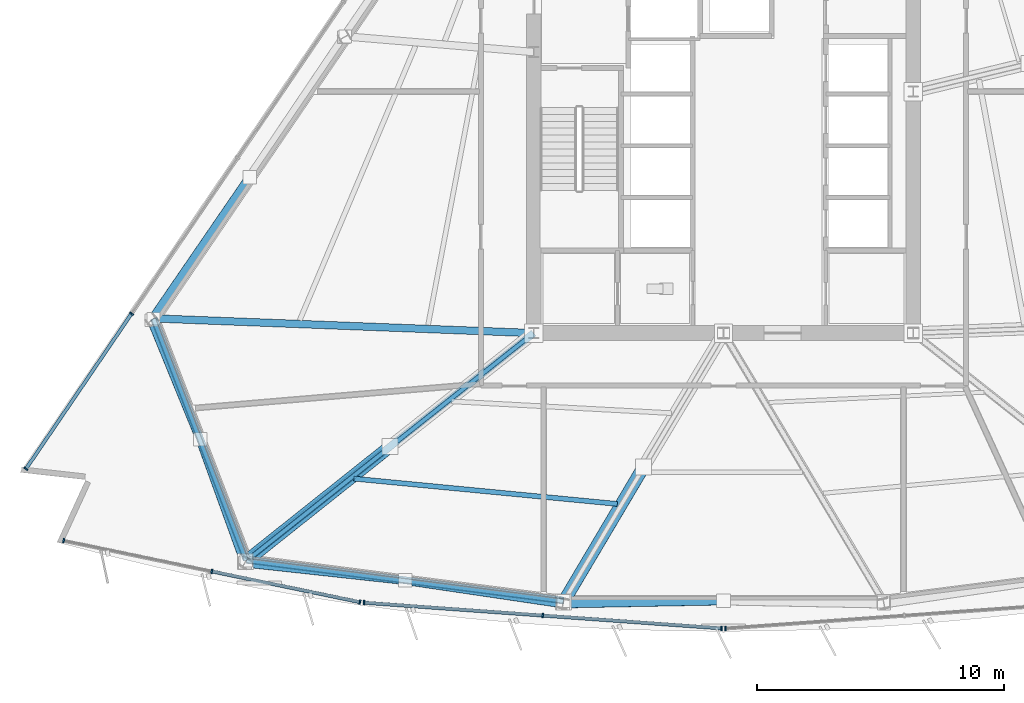
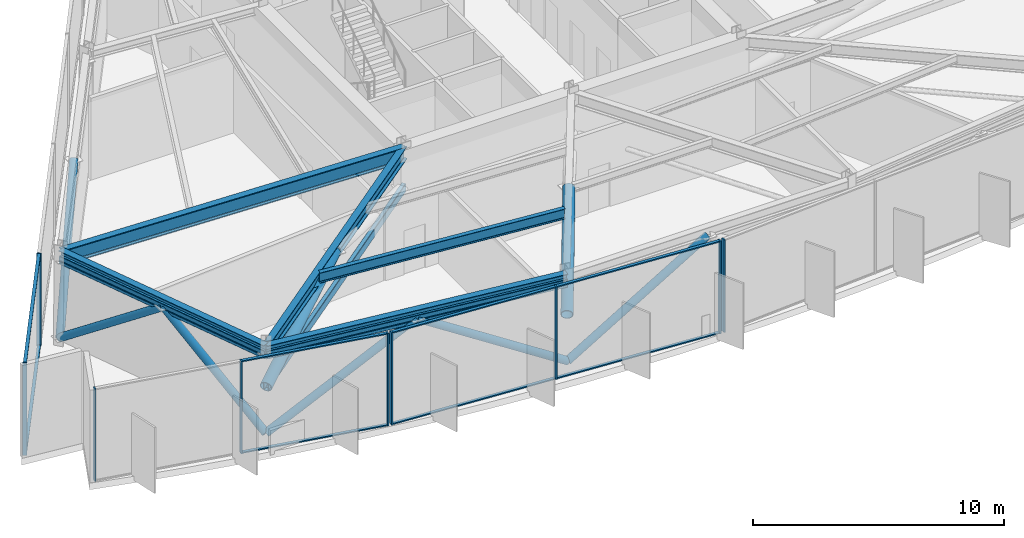
# One storey, part 2 of 16: 28 members, 5 beams, 4 elements without a shape of their own.
"""IFC4 building model written with IfcOpenShell, lengths in metres."""

from ifc_helpers import new_model, si_unit, direction, frame, origin, origin_2d, place, context, subcontext, project, spatial, rectangle, hollow_rectangle, hollow_circle, i_section, extrude, material, material_profile, profile_set, type_object, element, aggregate, save


model = new_model("IFC4")

# Units and contexts
model_context = context("Model", 3, precision=1e-05, world=origin(), true_north=direction((0.0, 1.0)))
body_context = subcontext(model_context, "Body", "Model", "MODEL_VIEW")
ifc_project = project(units=[si_unit("LENGTHUNIT", "METRE"), si_unit("AREAUNIT", "SQUARE_METRE"), si_unit("VOLUMEUNIT", "CUBIC_METRE"), si_unit("PLANEANGLEUNIT", "RADIAN"), si_unit("MASSUNIT", "GRAM", prefix="KILO")], contexts=[model_context])

# Site, building, storey
site_placement = place(None, origin())
site = spatial("IfcSite", under=ifc_project, at=site_placement, CompositionType="ELEMENT")
building_placement = place(site_placement, origin())
building = spatial("IfcBuilding", under=site, at=building_placement, Name="Savorim Split Tower", CompositionType="ELEMENT")
storey_placement = place(building_placement, frame((0.0, 0.0, 73.199951171875)))
storey = spatial("IfcBuildingStorey", under=building, at=storey_placement, Name="L19", CompositionType="ELEMENT", Elevation=73.199951171875)

# Beams
ifc_material_1 = material(Name="Steel S355", Category="steel")
ifc_material_profile_1 = material_profile(ifc_material_1, i_section(OverallWidth=0.199951171875, OverallDepth=0.5, WebThickness=0.01025390625, FlangeThickness=0.01611328125, FilletRadius=0.02099609375, at=origin_2d()), Name="IPE 500")
ifc_profile_set_1 = profile_set([ifc_material_profile_1], Name="Steel S355")
beam_type_1 = type_object("IfcBeamType", Name="BM-JST-IPE500", PredefinedType="JOIST", material=ifc_profile_set_1)
beam_1_placement = place(storey_placement, frame((-14.992431640625, -15.3037109375, 4.25), z_axis=(0.99541960846, -0.095602317407, 0.0), x_axis=(0.095602317407, 0.99541960846, 0.0)))
element("IfcBeam", 1, at=beam_1_placement, inside=storey, type_object=beam_type_1, Name="L19 Secondary Floor Joist JS-01", PredefinedType="JOIST", context=body_context, shape_type="SweptSolid", body=[
    extrude(i_section(OverallWidth=0.199951171875, OverallDepth=0.5, WebThickness=0.01025390625, FlangeThickness=0.01611328125, FilletRadius=0.02099609375, at=origin_2d()), origin(), (0.0, 0.0, 1.0), 10.733154296875),
])
ifc_material_profile_2 = material_profile(ifc_material_1, i_section(OverallWidth=0.300048828125, OverallDepth=0.60009765625, WebThickness=0.015380859375, FlangeThickness=0.030029296875, FilletRadius=0.027099609375, at=origin_2d()), Name="HEB 600")
ifc_profile_set_2 = profile_set([ifc_material_profile_2], Name="Steel S355")
beam_type_2 = type_object("IfcBeamType", Name="BM-PRI-HEB600", PredefinedType="BEAM", material=ifc_profile_set_2)
beam_2_placement = place(storey_placement, frame((-19.343505859375, -18.6005859375, 4.199951171875), z_axis=(0.784607278969, 0.619993078823, 0.0), x_axis=(-0.619993078823, 0.784607278969, 0.0)))
element("IfcBeam", 2, at=beam_2_placement, inside=storey, type_object=beam_type_2, Name="L19 Primary Floor Girder RG-01", PredefinedType="BEAM", context=body_context, shape_type="SweptSolid", body=[
    extrude(i_section(OverallWidth=0.300048828125, OverallDepth=0.60009765625, WebThickness=0.015380859375, FlangeThickness=0.030029296875, FilletRadius=0.027099609375, at=origin_2d()), origin(), (0.0, 0.0, 1.0), 14.840087890625),
])
ifc_material_2 = material(Name="Steel S460", Category="steel")
ifc_material_profile_3 = material_profile(ifc_material_2, i_section(OverallWidth=0.303955078125, OverallDepth=0.716064453125, WebThickness=0.02099609375, FlangeThickness=0.0400390625, FilletRadius=0.027099609375, at=origin_2d()), Name="HE 700 M")
ifc_profile_set_3 = profile_set([ifc_material_profile_3], Name="Steel S460")
beam_type_3 = type_object("IfcBeamType", Name="BM-PRI-HEM700", PredefinedType="BEAM", material=ifc_profile_set_3)
beam_3_placement = place(storey_placement, frame((-23.11083984375, -8.803466796875, 4.14208984375), z_axis=(0.999251909524, -0.038673263548, 0.0), x_axis=(0.038673263548, 0.999251909524, 0.0)))
element("IfcBeam", 3, at=beam_3_placement, inside=storey, type_object=beam_type_3, Name="L19 Primary Floor Girder RG-10", PredefinedType="BEAM", context=body_context, shape_type="SweptSolid", body=[
    extrude(i_section(OverallWidth=0.303955078125, OverallDepth=0.716064453125, WebThickness=0.02099609375, FlangeThickness=0.0400390625, FilletRadius=0.027099609375, at=origin_2d()), origin(), (0.0, 0.0, 1.0), 15.42236328125),
])
ifc_material_profile_4 = material_profile(ifc_material_1, i_section(OverallWidth=0.300048828125, OverallDepth=0.489990234375, WebThickness=0.011962890625, FlangeThickness=0.02294921875, FilletRadius=0.027099609375, at=origin_2d()), Name="HEA 500")
ifc_profile_set_4 = profile_set([ifc_material_profile_4], Name="Steel S355")
beam_type_4 = type_object("IfcBeamType", Name="BM-SPN-HEA500", PredefinedType="SPANDREL", material=ifc_profile_set_4)
beam_4_placement = place(storey_placement, frame((-19.343505859375, -18.6005859375, 4.255126953125), z_axis=(0.991858995601, -0.127341010066, 0.0), x_axis=(0.127341010066, 0.991858995601, 0.0)))
element("IfcBeam", 4, at=beam_4_placement, inside=storey, type_object=beam_type_4, Name="L19 Perimeter Spandrel Beam 1", PredefinedType="SPANDREL", context=body_context, shape_type="SweptSolid", body=[
    extrude(i_section(OverallWidth=0.300048828125, OverallDepth=0.489990234375, WebThickness=0.011962890625, FlangeThickness=0.02294921875, FilletRadius=0.027099609375, at=origin_2d()), origin(), (0.0, 0.0, 1.0), 12.966064453125),
])
beam_5_placement = place(storey_placement, frame((-23.11083984375, -8.803466796875, 4.255126953125), z_axis=(0.358913616802, -0.933370781455, 0.0), x_axis=(0.933370781455, 0.358913616802, 0.0)))
element("IfcBeam", 5, at=beam_5_placement, inside=storey, type_object=beam_type_4, Name="L19 Perimeter Spandrel Beam 10", PredefinedType="SPANDREL", context=body_context, shape_type="SweptSolid", body=[
    extrude(i_section(OverallWidth=0.300048828125, OverallDepth=0.489990234375, WebThickness=0.011962890625, FlangeThickness=0.02294921875, FilletRadius=0.027099609375, at=origin_2d()), origin(), (0.0, 0.0, 1.0), 10.49658203125),
])

# Curtain wall, members
ifc_material_3 = material(Name="Dark Ceramic-Fritted Insulated Glass", Category="glass")
curtain_wall_type = type_object("IfcCurtainWallType", Name="CW-REFUGE-LVR", PredefinedType="NOTDEFINED", material=ifc_material_3)
curtain_wall_1_placement = place(storey_placement, origin())
curtain_wall_1 = element("IfcCurtainWall", 6, at=curtain_wall_1_placement, inside=storey, type_object=curtain_wall_type, Name="L19 Curtain Wall CW-L19-SF1", PredefinedType="NOTDEFINED")
ifc_material_4 = material(Name="Charcoal Anodised Aluminium", Category="aluminium")
ifc_material_profile_5 = material_profile(ifc_material_4, rectangle(XDim=0.179931640625, YDim=0.06494140625, at=origin_2d()), Name="ALU-M 180x65")
ifc_profile_set_5 = profile_set([ifc_material_profile_5], Name="Charcoal Anodised Aluminium")
member_type_1 = type_object("IfcMemberType", Name="CWM-180x65", PredefinedType="MULLION", material=ifc_profile_set_5)
member_1_placement = place(storey_placement, frame((-26.76513671875, -17.81689453125, 0.0), z_axis=(0.0, 0.0, 1.0), x_axis=(0.203210153081, 0.979135145772, 0.0)))
member_1 = element("IfcMember", 7, at=member_1_placement, type_object=member_type_1, Name="CW-06 mullion 1", PredefinedType="MULLION", context=body_context, shape_type="SweptSolid", body=[
    extrude(rectangle(XDim=0.179931640625, YDim=0.06494140625, at=origin_2d()), origin(), (0.0, 0.0, 1.0), 4.5),
])
member_2_placement = place(storey_placement, frame((-20.75634765625, -19.064208984375, 0.0), z_axis=(0.0, 0.0, 1.0), x_axis=(0.203210153081, 0.979135145772, 0.0)))
member_2 = element("IfcMember", 8, at=member_2_placement, type_object=member_type_1, Name="CW-06 mullion 2", PredefinedType="MULLION", context=body_context, shape_type="SweptSolid", body=[
    extrude(rectangle(XDim=0.179931640625, YDim=0.06494140625, at=origin_2d()), origin(), (0.0, 0.0, 1.0), 4.5),
])
member_3_placement = place(storey_placement, frame((-14.747314453125, -20.311279296875, 0.0), z_axis=(0.0, 0.0, 1.0), x_axis=(0.203210153081, 0.979135145772, 0.0)))
member_3 = element("IfcMember", 9, at=member_3_placement, type_object=member_type_1, Name="CW-06 mullion 3", PredefinedType="MULLION", context=body_context, shape_type="SweptSolid", body=[
    extrude(rectangle(XDim=0.179931640625, YDim=0.06494140625, at=origin_2d()), origin(), (0.0, 0.0, 1.0), 4.5),
])

curtain_wall_2_placement = place(storey_placement, origin())
curtain_wall_2 = element("IfcCurtainWall", 10, at=curtain_wall_2_placement, inside=storey, type_object=curtain_wall_type, Name="L19 Curtain Wall CW-L19-SF2", PredefinedType="NOTDEFINED")
member_4_placement = place(storey_placement, frame((-14.580322265625, -20.33447265625, 0.0), z_axis=(0.0, 0.0, 1.0), x_axis=(0.071560540796, 0.997436258114, 0.0)))
member_4 = element("IfcMember", 11, at=member_4_placement, type_object=member_type_1, Name="CW-06 mullion 1", PredefinedType="MULLION", context=body_context, shape_type="SweptSolid", body=[
    extrude(rectangle(XDim=0.179931640625, YDim=0.06494140625, at=origin_2d()), origin(), (0.0, 0.0, 1.0), 4.5),
])
member_5_placement = place(storey_placement, frame((-7.33203125, -20.8544921875, 0.0), z_axis=(0.0, 0.0, 1.0), x_axis=(0.071560540796, 0.997436258114, 0.0)))
member_5 = element("IfcMember", 12, at=member_5_placement, type_object=member_type_1, Name="CW-06 mullion 2", PredefinedType="MULLION", context=body_context, shape_type="SweptSolid", body=[
    extrude(rectangle(XDim=0.179931640625, YDim=0.06494140625, at=origin_2d()), origin(), (0.0, 0.0, 1.0), 4.5),
])
member_6_placement = place(storey_placement, frame((-0.083740234375, -21.37451171875, 0.0), z_axis=(0.0, 0.0, 1.0), x_axis=(0.071560540796, 0.997436258114, 0.0)))
member_6 = element("IfcMember", 13, at=member_6_placement, type_object=member_type_1, Name="CW-06 mullion 3", PredefinedType="MULLION", context=body_context, shape_type="SweptSolid", body=[
    extrude(rectangle(XDim=0.179931640625, YDim=0.06494140625, at=origin_2d()), origin(), (0.0, 0.0, 1.0), 4.5),
])

# Curtain wall, member
curtain_wall_3_placement = place(storey_placement, origin())
curtain_wall_3 = element("IfcCurtainWall", 14, at=curtain_wall_3_placement, inside=storey, type_object=curtain_wall_type, Name="L19 Curtain Wall CW-L19-SF3", PredefinedType="NOTDEFINED")
member_7_placement = place(storey_placement, frame((0.083740234375, -21.37451171875, 0.0), z_axis=(0.0, 0.0, 1.0), x_axis=(-0.071560540796, 0.997436258114, 0.0)))
member_7 = element("IfcMember", 15, at=member_7_placement, type_object=member_type_1, Name="CW-06 mullion 1", PredefinedType="MULLION", context=body_context, shape_type="SweptSolid", body=[
    extrude(rectangle(XDim=0.179931640625, YDim=0.06494140625, at=origin_2d()), origin(), (0.0, 0.0, 1.0), 4.5),
])
aggregate(curtain_wall_3, [member_7])

# Curtain wall, members
curtain_wall_4_placement = place(storey_placement, origin())
curtain_wall_4 = element("IfcCurtainWall", 16, at=curtain_wall_4_placement, inside=storey, type_object=curtain_wall_type, Name="L19 Curtain Wall CW-L19-WEST", PredefinedType="NOTDEFINED")
member_8_placement = place(storey_placement, frame((-24.012451171875, -8.61279296875, 0.0), z_axis=(0.0, 0.0, 1.0), x_axis=(0.826819906685, -0.562466747381, 0.0)))
member_8 = element("IfcMember", 17, at=member_8_placement, type_object=member_type_1, Name="CW-06 mullion 6", PredefinedType="MULLION", context=body_context, shape_type="SweptSolid", body=[
    extrude(rectangle(XDim=0.179931640625, YDim=0.06494140625, at=origin_2d()), origin(), (0.0, 0.0, 1.0), 4.5),
])
member_9_placement = place(storey_placement, frame((-28.294921875, -14.908203125, 0.0), z_axis=(0.0, 0.0, 1.0), x_axis=(0.826819906685, -0.562466747381, 0.0)))
member_9 = element("IfcMember", 18, at=member_9_placement, type_object=member_type_1, Name="CW-06 mullion 7", PredefinedType="MULLION", context=body_context, shape_type="SweptSolid", body=[
    extrude(rectangle(XDim=0.179931640625, YDim=0.06494140625, at=origin_2d()), origin(), (0.0, 0.0, 1.0), 4.5),
])

# Member
ifc_material_profile_6 = material_profile(ifc_material_4, rectangle(XDim=0.139892578125, YDim=0.054931640625, at=origin_2d()), Name="ALU-T 140x55")
ifc_profile_set_6 = profile_set([ifc_material_profile_6], Name="Charcoal Anodised Aluminium")
member_type_2 = type_object("IfcMemberType", Name="CWT-140x55", PredefinedType="USERDEFINED", material=ifc_profile_set_6)
member_10_placement = place(storey_placement, frame((-20.724365234375, -19.07080078125, 0.027587890625), z_axis=(0.97913534694, -0.203209183781, 0.0), x_axis=(0.203209183781, 0.97913534694, 0.0)))
member_10 = element("IfcMember", 19, at=member_10_placement, type_object=member_type_2, Name="CW-06 transom 2.1", ObjectType="TRANSOM", PredefinedType="USERDEFINED", context=body_context, shape_type="SweptSolid", body=[
    extrude(rectangle(XDim=0.139892578125, YDim=0.054931640625, at=origin_2d()), origin(), (0.0, 0.0, 1.0), 6.072021484375),
])

member_11_placement = place(storey_placement, frame((-20.724365234375, -19.07080078125, 4.47265625), z_axis=(0.97913534694, -0.203209183781, 0.0), x_axis=(0.203209183781, 0.97913534694, 0.0)))
member_11 = element("IfcMember", 20, at=member_11_placement, type_object=member_type_2, Name="CW-06 transom 2.2", ObjectType="TRANSOM", PredefinedType="USERDEFINED", context=body_context, shape_type="SweptSolid", body=[
    extrude(rectangle(XDim=0.139892578125, YDim=0.054931640625, at=origin_2d()), origin(), (0.0, 0.0, 1.0), 6.072021484375),
])

aggregate(curtain_wall_1, [member_1, member_2, member_3, member_10, member_11])

member_12_placement = place(storey_placement, frame((-14.5478515625, -20.336669921875, 0.027587890625), z_axis=(0.997436107345, -0.071562642239, 0.0), x_axis=(0.071562642239, 0.997436107345, 0.0)))
member_12 = element("IfcMember", 21, at=member_12_placement, type_object=member_type_2, Name="CW-06 transom 1.1", ObjectType="TRANSOM", PredefinedType="USERDEFINED", context=body_context, shape_type="SweptSolid", body=[
    extrude(rectangle(XDim=0.139892578125, YDim=0.054931640625, at=origin_2d()), origin(), (0.0, 0.0, 1.0), 7.201904296875),
])

member_13_placement = place(storey_placement, frame((-14.5478515625, -20.336669921875, 4.47265625), z_axis=(0.997436107345, -0.071562642239, 0.0), x_axis=(0.071562642239, 0.997436107345, 0.0)))
member_13 = element("IfcMember", 22, at=member_13_placement, type_object=member_type_2, Name="CW-06 transom 1.2", ObjectType="TRANSOM", PredefinedType="USERDEFINED", context=body_context, shape_type="SweptSolid", body=[
    extrude(rectangle(XDim=0.139892578125, YDim=0.054931640625, at=origin_2d()), origin(), (0.0, 0.0, 1.0), 7.201904296875),
])

member_14_placement = place(storey_placement, frame((-7.299560546875, -20.856689453125, 0.027587890625), z_axis=(0.997436107345, -0.071562642239, 0.0), x_axis=(0.071562642239, 0.997436107345, 0.0)))
member_14 = element("IfcMember", 23, at=member_14_placement, type_object=member_type_2, Name="CW-06 transom 2.1", ObjectType="TRANSOM", PredefinedType="USERDEFINED", context=body_context, shape_type="SweptSolid", body=[
    extrude(rectangle(XDim=0.139892578125, YDim=0.054931640625, at=origin_2d()), origin(), (0.0, 0.0, 1.0), 7.201904296875),
])

member_15_placement = place(storey_placement, frame((-7.299560546875, -20.856689453125, 4.47265625), z_axis=(0.997436107345, -0.071562642239, 0.0), x_axis=(0.071562642239, 0.997436107345, 0.0)))
member_15 = element("IfcMember", 24, at=member_15_placement, type_object=member_type_2, Name="CW-06 transom 2.2", ObjectType="TRANSOM", PredefinedType="USERDEFINED", context=body_context, shape_type="SweptSolid", body=[
    extrude(rectangle(XDim=0.139892578125, YDim=0.054931640625, at=origin_2d()), origin(), (0.0, 0.0, 1.0), 7.201904296875),
])

aggregate(curtain_wall_2, [member_4, member_5, member_6, member_12, member_13, member_14, member_15])

member_16_placement = place(storey_placement, frame((-24.03076171875, -8.6396484375, 0.027587890625), z_axis=(-0.562467468114, -0.826819416387, 0.0), x_axis=(0.826819416387, -0.562467468114, 0.0)))
member_16 = element("IfcMember", 25, at=member_16_placement, type_object=member_type_2, Name="CW-06 transom 6.1", ObjectType="TRANSOM", PredefinedType="USERDEFINED", context=body_context, shape_type="SweptSolid", body=[
    extrude(rectangle(XDim=0.139892578125, YDim=0.054931640625, at=origin_2d()), origin(), (0.0, 0.0, 1.0), 7.549072265625),
])

member_17_placement = place(storey_placement, frame((-24.03076171875, -8.6396484375, 4.47265625), z_axis=(-0.562467468114, -0.826819416387, 0.0), x_axis=(0.826819416387, -0.562467468114, 0.0)))
member_17 = element("IfcMember", 26, at=member_17_placement, type_object=member_type_2, Name="CW-06 transom 6.2", ObjectType="TRANSOM", PredefinedType="USERDEFINED", context=body_context, shape_type="SweptSolid", body=[
    extrude(rectangle(XDim=0.139892578125, YDim=0.054931640625, at=origin_2d()), origin(), (0.0, 0.0, 1.0), 7.549072265625),
])

aggregate(curtain_wall_4, [member_8, member_9, member_16, member_17])

# Members
ifc_material_profile_7 = material_profile(ifc_material_2, hollow_circle(Radius=0.177734375, WallThickness=0.02001953125, at=origin_2d()), Name="CHS 355.6x20")
ifc_profile_set_7 = profile_set([ifc_material_profile_7], Name="Steel S460")
member_type_3 = type_object("IfcMemberType", Name="MBR-BLT-CHS355", PredefinedType="BRACE", material=ifc_profile_set_7)
member_18_placement = place(storey_placement, frame((-19.415283203125, -18.717041015625, 0.280029296875), z_axis=(0.862420089001, -0.094036268481, 0.497381915933), x_axis=(0.108395197295, 0.994107882075, 0.0)))
element("IfcMember", 27, at=member_18_placement, inside=storey, type_object=member_type_3, Name="L19 Perimeter Belt Truss Brace 1A", PredefinedType="BRACE", context=body_context, shape_type="SweptSolid", body=[
    extrude(hollow_circle(Radius=0.177734375, WallThickness=0.02001953125, at=origin_2d()), origin(), (0.0, 0.0, 1.0), 7.53955078125),
])
member_19_placement = place(storey_placement, frame((-6.507080078125, -20.374267578125, 0.280029296875), z_axis=(-0.856049437831, 0.126715805348, 0.501121207557), x_axis=(-0.146428423506, -0.989221267862, 0.0)))
element("IfcMember", 28, at=member_19_placement, inside=storey, type_object=member_type_3, Name="L19 Perimeter Belt Truss Brace 1B", PredefinedType="BRACE", context=body_context, shape_type="SweptSolid", body=[
    extrude(hollow_circle(Radius=0.177734375, WallThickness=0.02001953125, at=origin_2d()), origin(), (0.0, 0.0, 1.0), 7.483154296875),
])
member_20_placement = place(storey_placement, frame((-6.507080078125, -20.374267578125, 0.280029296875), z_axis=(0.86630556591, 0.016316564518, 0.499247870498), x_axis=(-0.018831312907, 0.999822675105, 0.0)))
element("IfcMember", 29, at=member_20_placement, inside=storey, type_object=member_type_3, Name="L19 Perimeter Belt Truss Brace 2A", PredefinedType="BRACE", context=body_context, shape_type="SweptSolid", body=[
    extrude(hollow_circle(Radius=0.177734375, WallThickness=0.02001953125, at=origin_2d()), origin(), (0.0, 0.0, 1.0), 7.51123046875),
])
member_21_placement = place(storey_placement, frame((-23.198486328125, -8.87841796875, 0.280029296875), z_axis=(0.499388236419, 0.727338509661, 0.470733557005), x_axis=(-0.824389405438, 0.566023063313, 0.0)))
element("IfcMember", 30, at=member_21_placement, inside=storey, type_object=member_type_3, Name="L19 Perimeter Belt Truss Brace 9B", PredefinedType="BRACE", context=body_context, shape_type="SweptSolid", body=[
    extrude(hollow_circle(Radius=0.177734375, WallThickness=0.02001953125, at=origin_2d()), origin(), (0.0, 0.0, 1.0), 7.96630859375),
])
member_22_placement = place(storey_placement, frame((-23.198486328125, -8.87841796875, 0.280029296875), z_axis=(0.307047667774, -0.751342676767, 0.584128335028), x_axis=(0.925684967425, 0.378295309358, 0.0)))
element("IfcMember", 31, at=member_22_placement, inside=storey, type_object=member_type_3, Name="L19 Perimeter Belt Truss Brace 10A", PredefinedType="BRACE", context=body_context, shape_type="SweptSolid", body=[
    extrude(hollow_circle(Radius=0.177734375, WallThickness=0.02001953125, at=origin_2d()), origin(), (0.0, 0.0, 1.0), 6.419921875),
])
member_23_placement = place(storey_placement, frame((-19.415283203125, -18.717041015625, 0.280029296875), z_axis=(-0.277958141216, 0.769309638488, 0.575240777294), x_axis=(-0.940494569308, -0.339808718402, 0.0)))
element("IfcMember", 32, at=member_23_placement, inside=storey, type_object=member_type_3, Name="L19 Perimeter Belt Truss Brace 10B", PredefinedType="BRACE", context=body_context, shape_type="SweptSolid", body=[
    extrude(hollow_circle(Radius=0.177734375, WallThickness=0.02001953125, at=origin_2d()), origin(), (0.0, 0.0, 1.0), 6.51904296875),
])
ifc_material_profile_8 = material_profile(ifc_material_2, hollow_rectangle(XDim=0.199951171875, YDim=0.39990234375, WallThickness=0.01611328125, InnerFilletRadius=0.01611328125, OuterFilletRadius=0.031982421875, at=origin_2d()), Name="RHS 400x200x16")
ifc_profile_set_8 = profile_set([ifc_material_profile_8], Name="Steel S460")
member_type_4 = type_object("IfcMemberType", Name="MBR-CHD-RHS400", PredefinedType="CHORD", material=ifc_profile_set_8)
member_24_placement = place(storey_placement, frame((-19.355712890625, -18.620361328125, 4.030029296875), z_axis=(0.991857181472, -0.127355139522, 0.0), x_axis=(0.127355139522, 0.991857181472, 0.0)))
element("IfcMember", 33, at=member_24_placement, inside=storey, type_object=member_type_4, Name="L19 Perimeter Belt Truss Chord 1", PredefinedType="CHORD", context=body_context, shape_type="SweptSolid", body=[
    extrude(hollow_rectangle(XDim=0.199951171875, YDim=0.39990234375, WallThickness=0.01611328125, InnerFilletRadius=0.01611328125, OuterFilletRadius=0.031982421875, at=origin_2d()), origin(), (0.0, 0.0, 1.0), 12.974365234375),
])
member_25_placement = place(storey_placement, frame((-23.125732421875, -8.816162109375, 4.030029296875), z_axis=(0.358910548934, -0.933371961151, 0.0), x_axis=(0.933371961151, 0.358910548934, 0.0)))
element("IfcMember", 34, at=member_25_placement, inside=storey, type_object=member_type_4, Name="L19 Perimeter Belt Truss Chord 10", PredefinedType="CHORD", context=body_context, shape_type="SweptSolid", body=[
    extrude(hollow_rectangle(XDim=0.199951171875, YDim=0.39990234375, WallThickness=0.01611328125, InnerFilletRadius=0.01611328125, OuterFilletRadius=0.031982421875, at=origin_2d()), origin(), (0.0, 0.0, 1.0), 10.504150390625),
])
member_26_placement = place(storey_placement, frame((-7.699951171875, -9.39990234375, 2.47998046875), z_axis=(-0.783604905894, -0.621259488023, 0.0), x_axis=(0.621259488023, -0.783604905894, 0.0)))
element("IfcMember", 35, at=member_26_placement, inside=storey, type_object=member_type_4, Name="L19 Outrigger Bottom Chord S1", PredefinedType="CHORD", context=body_context, shape_type="SweptSolid", body=[
    extrude(hollow_rectangle(XDim=0.199951171875, YDim=0.39990234375, WallThickness=0.01611328125, InnerFilletRadius=0.01611328125, OuterFilletRadius=0.031982421875, at=origin_2d()), origin(), (0.0, 0.0, 1.0), 14.906005859375),
])
ifc_material_profile_9 = material_profile(ifc_material_2, hollow_circle(Radius=0.25390625, WallThickness=0.02490234375, at=origin_2d()), Name="CHS 508x25")
ifc_profile_set_9 = profile_set([ifc_material_profile_9], Name="Steel S460")
member_type_5 = type_object("IfcMemberType", Name="MBR-OUT-CHS508", PredefinedType="BRACE", material=ifc_profile_set_9)
member_27_placement = place(storey_placement, frame((-13.521728515625, -14.000244140625, 4.199951171875), z_axis=(-0.762736448422, -0.606705560174, -0.223922918662), x_axis=(0.622513124718, -0.782609359485, 0.0)))
element("IfcMember", 36, at=member_27_placement, inside=storey, type_object=member_type_5, Name="L19 Outrigger Truss Diagonal S1-B", PredefinedType="BRACE", context=body_context, shape_type="SweptSolid", body=[
    extrude(hollow_circle(Radius=0.25390625, WallThickness=0.02490234375, at=origin_2d()), origin(), (0.0, 0.0, 1.0), 7.68115234375),
])
member_28_placement = place(storey_placement, frame((-3.241455078125, -14.82568359375, 4.199951171875), z_axis=(-0.492363909793, -0.830568561214, -0.26025688359), x_axis=(0.860211972289, -0.509936626191, 0.0)))
element("IfcMember", 37, at=member_28_placement, inside=storey, type_object=member_type_5, Name="L19 Outrigger Truss Diagonal S2-B", PredefinedType="BRACE", context=body_context, shape_type="SweptSolid", body=[
    extrude(hollow_circle(Radius=0.25390625, WallThickness=0.02490234375, at=origin_2d()), origin(), (0.0, 0.0, 1.0), 6.608642578125),
])

save(model, "model.ifc")
